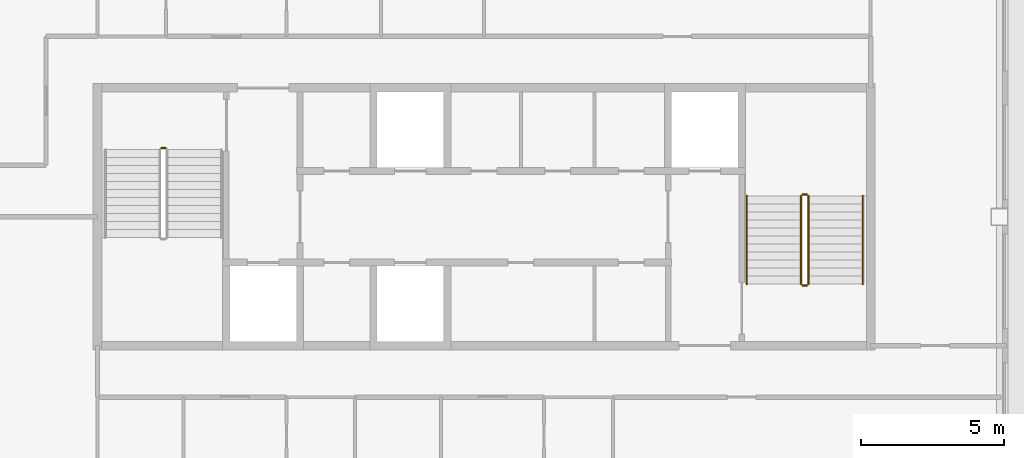
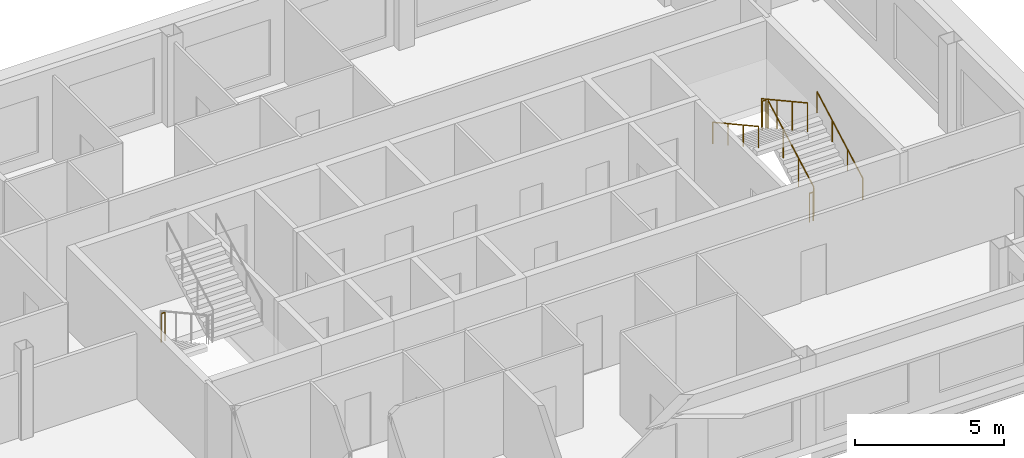
# One storey, part 11 of 11: 7 railings.
"""IFC4 building model written with IfcOpenShell, lengths in metres."""

from ifc_helpers import new_model, si_unit, direction, frame, origin, origin_2d, place, context, subcontext, project, spatial, circle, extrude, material, type_object, element, save


model = new_model("IFC4")

# Units and contexts
model_context = context("Model", 3, precision=1e-05, world=origin(), true_north=direction((0.0, 1.0)))
body_context = subcontext(model_context, "Body", "Model", "MODEL_VIEW")
ifc_project = project(units=[si_unit("LENGTHUNIT", "METRE"), si_unit("AREAUNIT", "SQUARE_METRE"), si_unit("VOLUMEUNIT", "CUBIC_METRE"), si_unit("PLANEANGLEUNIT", "RADIAN"), si_unit("MASSUNIT", "GRAM", prefix="KILO")], contexts=[model_context])

# Site, building, storey
site_placement = place(None, origin())
site = spatial("IfcSite", under=ifc_project, at=site_placement, CompositionType="ELEMENT")
building_placement = place(site_placement, origin())
building = spatial("IfcBuilding", under=site, at=building_placement, Name="Caravel Reach Hotel and Residences", CompositionType="ELEMENT")
storey_placement = place(building_placement, frame((0.0, 0.0, 256.39990234375)))
storey = spatial("IfcBuildingStorey", under=building, at=storey_placement, Name="L65", CompositionType="ELEMENT", Elevation=256.39990234375)

# Railings
ifc_material_1 = material(Name="Steel balustrade with glass infill", Category="steel")
railing_type_1 = type_object("IfcRailingType", Name="Guard 1200", PredefinedType="GUARDRAIL", material=ifc_material_1)
railing_1_placement = place(storey_placement, frame((20.22509765625, 29.39990234375, 0.0)))
element("IfcRailing", 1, at=railing_1_placement, inside=storey, type_object=railing_type_1, Name="L65 ST-A stair guard 4", PredefinedType="GUARDRAIL", context=body_context, shape_type="SweptSolid", body=[
    extrude(circle(Radius=0.02392578125, at=origin_2d()), frame((0.0, 0.0, 1.17578125), z_axis=(1.0, 0.0, 0.0), x_axis=(0.0, 1.0, 0.0)), (0.0, 0.0, 1.0), 0.14990234375),
    extrude(circle(Radius=0.02099609375, at=origin_2d()), origin(), (0.0, 0.0, 1.0), 1.15185546875),
    extrude(circle(Radius=0.02099609375, at=origin_2d()), frame((0.14990234375, 0.0, 0.0)), (0.0, 0.0, 1.0), 1.15185546875),
])
railing_2_placement = place(storey_placement, frame((42.824951171875, 24.64990234375, 0.154296875)))
element("IfcRailing", 2, at=railing_2_placement, inside=storey, type_object=railing_type_1, Name="L65 ST-B stair guard 1", PredefinedType="GUARDRAIL", context=body_context, shape_type="SweptSolid", body=[
    extrude(circle(Radius=0.02392578125, at=origin_2d()), frame((0.0, 0.0, 1.17578125), z_axis=(0.0, 0.876004717809, 0.482302534076), x_axis=(-1.0, 0.0, 0.0)), (0.0, 0.0, 1.0), 3.51611328125),
    extrude(circle(Radius=0.02099609375, at=origin_2d()), origin(), (0.0, 0.0, 1.0), 1.15185546875),
    extrude(circle(Radius=0.02099609375, at=origin_2d()), frame((0.0, 1.026611328125, 0.565185546875)), (0.0, 0.0, 1.0), 1.15185546875),
    extrude(circle(Radius=0.02099609375, at=origin_2d()), frame((0.0, 2.053466796875, 1.130615234375)), (0.0, 0.0, 1.0), 1.15185546875),
    extrude(circle(Radius=0.02099609375, at=origin_2d()), frame((0.0, 3.080078125, 1.69580078125)), (0.0, 0.0, 1.0), 1.15185546875),
])
railing_3_placement = place(storey_placement, frame((42.77490234375, 27.780029296875, 1.85009765625)))
element("IfcRailing", 3, at=railing_3_placement, inside=storey, type_object=railing_type_1, Name="L65 ST-B stair guard 2", PredefinedType="GUARDRAIL", context=body_context, shape_type="SweptSolid", body=[
    extrude(circle(Radius=0.02392578125, at=origin_2d()), frame((0.0, 0.0, 1.17578125), z_axis=(-1.0, 0.0, 0.0), x_axis=(0.0, -1.0, 0.0)), (0.0, 0.0, 1.0), 0.14990234375),
    extrude(circle(Radius=0.02099609375, at=origin_2d()), origin(), (0.0, 0.0, 1.0), 1.15185546875),
    extrude(circle(Radius=0.02099609375, at=origin_2d()), frame((-0.14990234375, 0.0, 0.0)), (0.0, 0.0, 1.0), 1.15185546875),
])
railing_4_placement = place(storey_placement, frame((42.574951171875, 27.72998046875, 2.004150390625)))
element("IfcRailing", 4, at=railing_4_placement, inside=storey, type_object=railing_type_1, Name="L65 ST-B stair guard 3", PredefinedType="GUARDRAIL", context=body_context, shape_type="SweptSolid", body=[
    extrude(circle(Radius=0.02392578125, at=origin_2d()), frame((0.0, 0.0, 1.17578125), z_axis=(0.0, -0.875975380505, 0.482355815502), x_axis=(1.0, 0.0, 0.0)), (0.0, 0.0, 1.0), 3.51611328125),
    extrude(circle(Radius=0.02099609375, at=origin_2d()), origin(), (0.0, 0.0, 1.0), 1.15185546875),
    extrude(circle(Radius=0.02099609375, at=origin_2d()), frame((0.0, -1.026611328125, 0.5654296875)), (0.0, 0.0, 1.0), 1.15185546875),
    extrude(circle(Radius=0.02099609375, at=origin_2d()), frame((0.0, -2.053466796875, 1.130615234375)), (0.0, 0.0, 1.0), 1.15185546875),
    extrude(circle(Radius=0.02099609375, at=origin_2d()), frame((0.0, -3.080078125, 1.696044921875)), (0.0, 0.0, 1.0), 1.15185546875),
])
railing_5_placement = place(storey_placement, frame((42.77490234375, 24.60009765625, 0.0)))
element("IfcRailing", 5, at=railing_5_placement, inside=storey, type_object=railing_type_1, Name="L65 ST-B stair guard 4", PredefinedType="GUARDRAIL", context=body_context, shape_type="SweptSolid", body=[
    extrude(circle(Radius=0.02392578125, at=origin_2d()), frame((0.0, 0.0, 1.17578125), z_axis=(-1.0, 0.0, 0.0), x_axis=(0.0, -1.0, 0.0)), (0.0, 0.0, 1.0), 0.14990234375),
    extrude(circle(Radius=0.02099609375, at=origin_2d()), origin(), (0.0, 0.0, 1.0), 1.15185546875),
    extrude(circle(Radius=0.02099609375, at=origin_2d()), frame((-0.14990234375, 0.0, 0.0)), (0.0, 0.0, 1.0), 1.15185546875),
])
ifc_material_2 = material(Name="Stainless steel handrail", Category="steel")
railing_type_2 = type_object("IfcRailingType", Name="Handrail 900", PredefinedType="HANDRAIL", material=ifc_material_2)
railing_6_placement = place(storey_placement, frame((44.72509765625, 24.64990234375, 0.154296875)))
element("IfcRailing", 6, at=railing_6_placement, inside=storey, type_object=railing_type_2, Name="L65 ST-B stair handrail 1", PredefinedType="HANDRAIL", context=body_context, shape_type="SweptSolid", body=[
    extrude(circle(Radius=0.02392578125, at=origin_2d()), frame((0.0, 0.0, 0.8759765625), z_axis=(0.0, 0.876004717809, 0.482302534076), x_axis=(-1.0, 0.0, 0.0)), (0.0, 0.0, 1.0), 3.51611328125),
    extrude(circle(Radius=0.02099609375, at=origin_2d()), origin(), (0.0, 0.0, 1.0), 0.851806640625),
    extrude(circle(Radius=0.02099609375, at=origin_2d()), frame((0.0, 1.026611328125, 0.565185546875)), (0.0, 0.0, 1.0), 0.851806640625),
    extrude(circle(Radius=0.02099609375, at=origin_2d()), frame((0.0, 2.053466796875, 1.130615234375)), (0.0, 0.0, 1.0), 0.851806640625),
    extrude(circle(Radius=0.02099609375, at=origin_2d()), frame((0.0, 3.080078125, 1.69580078125)), (0.0, 0.0, 1.0), 0.851806640625),
])
railing_7_placement = place(storey_placement, frame((40.675048828125, 27.72998046875, 2.004150390625)))
element("IfcRailing", 7, at=railing_7_placement, inside=storey, type_object=railing_type_2, Name="L65 ST-B stair handrail 2", PredefinedType="HANDRAIL", context=body_context, shape_type="SweptSolid", body=[
    extrude(circle(Radius=0.02392578125, at=origin_2d()), frame((0.0, 0.0, 0.8759765625), z_axis=(0.0, -0.875975380505, 0.482355815502), x_axis=(1.0, 0.0, 0.0)), (0.0, 0.0, 1.0), 3.51611328125),
    extrude(circle(Radius=0.02099609375, at=origin_2d()), origin(), (0.0, 0.0, 1.0), 0.851806640625),
    extrude(circle(Radius=0.02099609375, at=origin_2d()), frame((0.0, -1.026611328125, 0.5654296875)), (0.0, 0.0, 1.0), 0.851806640625),
    extrude(circle(Radius=0.02099609375, at=origin_2d()), frame((0.0, -2.053466796875, 1.130615234375)), (0.0, 0.0, 1.0), 0.851806640625),
    extrude(circle(Radius=0.02099609375, at=origin_2d()), frame((0.0, -3.080078125, 1.696044921875)), (0.0, 0.0, 1.0), 0.851806640625),
])

save(model, "model.ifc")
